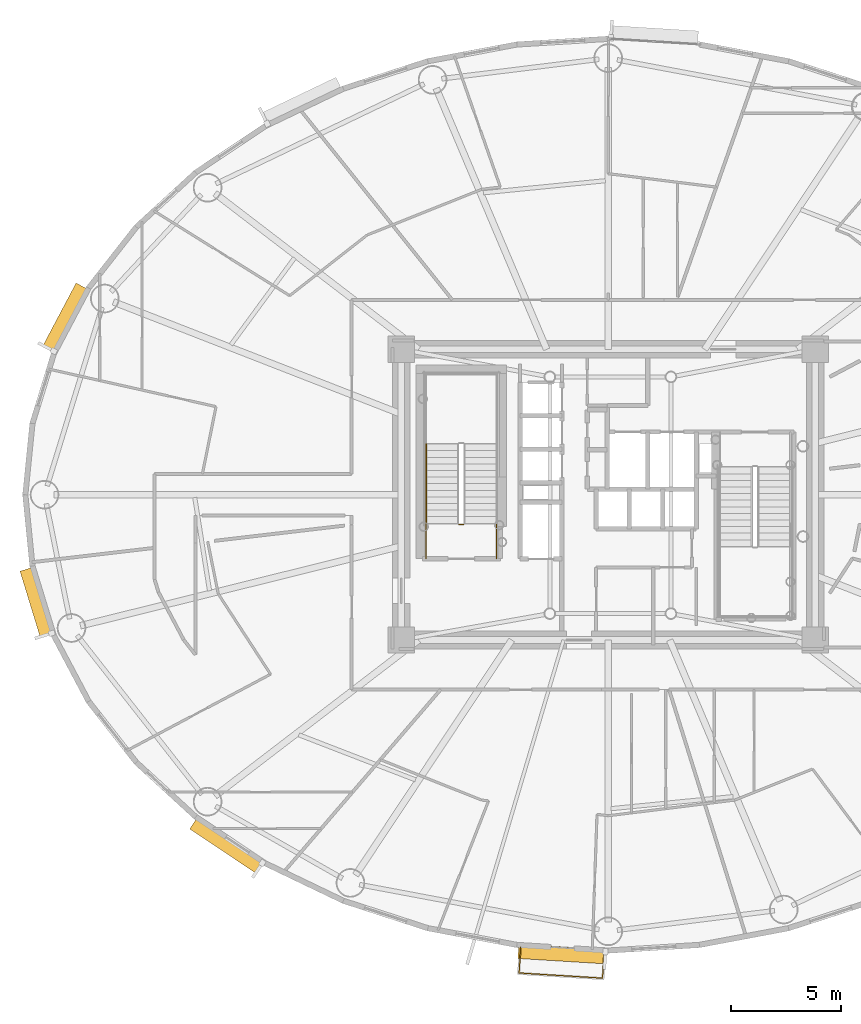
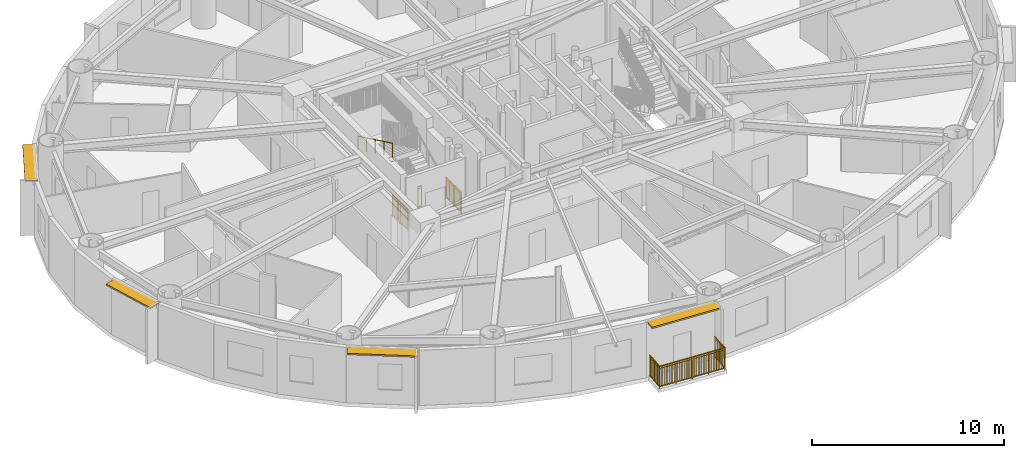
# One storey, part 12 of 18: 5 railings, 4 shading devices.
"""IFC4 building model written with IfcOpenShell, lengths in metres."""

from ifc_helpers import new_model, si_unit, direction, frame, origin, origin_2d, place, context, subcontext, project, spatial, rectangle, extrude, source, transform, mapped, material, layer, layer_set, type_object, element, save


model = new_model("IFC4")

# Units and contexts
model_context = context("Model", 3, precision=1e-05, world=origin(), true_north=direction((0.0, 1.0)))
body_context = subcontext(model_context, "Body", "Model", "MODEL_VIEW")
ifc_project = project(units=[si_unit("LENGTHUNIT", "METRE"), si_unit("AREAUNIT", "SQUARE_METRE"), si_unit("VOLUMEUNIT", "CUBIC_METRE"), si_unit("PLANEANGLEUNIT", "RADIAN"), si_unit("MASSUNIT", "GRAM", prefix="KILO")], contexts=[model_context])

# Site, building, storey
site_placement = place(None, origin())
site = spatial("IfcSite", under=ifc_project, at=site_placement, CompositionType="ELEMENT")
building_placement = place(site_placement, origin())
building = spatial("IfcBuilding", under=site, at=building_placement, Name="Linh Dai School and Residence Tower", CompositionType="ELEMENT")
storey_placement = place(building_placement, frame((0.0, 0.0, 178.64990234375)))
storey = spatial("IfcBuildingStorey", under=building, at=storey_placement, Name="L43", CompositionType="ELEMENT", Elevation=178.64990234375)

# Shading devices
ifc_material_1 = material(Name="Terracotta Ceramic Sunshade", Category="masonry")
ifc_layer = layer(ifc_material_1, 0.10009765625)
ifc_layer_set = layer_set([ifc_layer], Name="Terracotta Ceramic Sunshade")
shading_device_type = type_object("IfcShadingDeviceType", Name="SHD-TC-650", PredefinedType="USERDEFINED", material=ifc_layer_set)
shared_shape_1 = source(origin(), body_context, "Body", "SweptSolid", [
    extrude(rectangle(XDim=3.168212890625, YDim=0.64990234375, at=origin_2d()), origin(), (0.0, 0.0, 1.0), 0.10009765625),
])
shading_device_1_placement = place(storey_placement, frame((10.061279296875, 22.105224609375, 3.380126953125), z_axis=(0.0, 0.0, 1.0), x_axis=(-0.293121969301, 0.956075055167, 0.0)))
element("IfcShadingDevice", 1, at=shading_device_1_placement, inside=storey, type_object=shading_device_type, Name="L43 Terracotta Horizontal Sunshade Band 22", ObjectType="SUNSHADE", PredefinedType="USERDEFINED", context=body_context, shape_type="MappedRepresentation", body=[
    mapped(shared_shape_1, transform((0.0, 0.0, 0.0), x_axis=(1.0, 0.0, 0.0), y_axis=(0.0, 1.0, 0.0), z_axis=(0.0, 0.0, 1.0), scale=1.0)),
])
shared_shape_2 = source(origin(), body_context, "Body", "SweptSolid", [
    extrude(rectangle(XDim=3.64794921875, YDim=0.64990234375, at=origin_2d()), origin(), (0.0, 0.0, 1.0), 0.10009765625),
])
shading_device_2_placement = place(storey_placement, frame((18.68896484375, 11.076171875, 3.380126953125), z_axis=(0.0, 0.0, 1.0), x_axis=(-0.831228338651, 0.555931154932, 0.0)))
element("IfcShadingDevice", 2, at=shading_device_2_placement, inside=storey, type_object=shading_device_type, Name="L43 Terracotta Horizontal Sunshade Band 26", ObjectType="SUNSHADE", PredefinedType="USERDEFINED", context=body_context, shape_type="MappedRepresentation", body=[
    mapped(shared_shape_2, transform((0.0, 0.0, 0.0), x_axis=(1.0, 0.0, 0.0), y_axis=(0.0, 1.0, 0.0), z_axis=(0.0, 0.0, 1.0), scale=1.0)),
])
shared_shape_3 = source(origin(), body_context, "Body", "SweptSolid", [
    extrude(rectangle(XDim=3.987548828125, YDim=0.64990234375, at=origin_2d()), origin(), (0.0, 0.0, 1.0), 0.10009765625),
])
shading_device_3_placement = place(storey_placement, frame((33.90966796875, 6.13818359375, 3.380126953125), z_axis=(0.0, 0.0, 1.0), x_axis=(-0.99810632076, 0.061512376467, 0.0)))
element("IfcShadingDevice", 3, at=shading_device_3_placement, inside=storey, type_object=shading_device_type, Name="L43 Terracotta Horizontal Sunshade Band 30", ObjectType="SUNSHADE", PredefinedType="USERDEFINED", context=body_context, shape_type="MappedRepresentation", body=[
    mapped(shared_shape_3, transform((0.0, 0.0, 0.0), x_axis=(1.0, 0.0, 0.0), y_axis=(0.0, 1.0, 0.0), z_axis=(0.0, 0.0, 1.0), scale=1.0)),
])
shared_shape_4 = source(origin(), body_context, "Body", "SweptSolid", [
    extrude(rectangle(XDim=3.257568359375, YDim=0.64990234375, at=origin_2d()), origin(), (0.0, 0.0, 1.0), 0.10009765625),
])
shading_device_4_placement = place(storey_placement, frame((11.358642578125, 35.02197265625, 3.380126953125), z_axis=(0.0, 0.0, 1.0), x_axis=(0.467580060884, 0.883950726378, 0.0)))
element("IfcShadingDevice", 4, at=shading_device_4_placement, inside=storey, type_object=shading_device_type, Name="L43 Terracotta Horizontal Sunshade Band 18", ObjectType="SUNSHADE", PredefinedType="USERDEFINED", context=body_context, shape_type="MappedRepresentation", body=[
    mapped(shared_shape_4, transform((0.0, 0.0, 0.0), x_axis=(1.0, 0.0, 0.0), y_axis=(0.0, 1.0, 0.0), z_axis=(0.0, 0.0, 1.0), scale=1.0)),
])

# Railings
ifc_material_2 = material(Name="Structural Steel S355JR", Category="steel")
railing_type_1 = type_object("IfcRailingType", Name="RL-BAL-1400", PredefinedType="BALUSTRADE", material=ifc_material_2)
shared_shape_5 = source(origin(), body_context, "Body", "SweptSolid", [
    extrude(rectangle(XDim=0.048095703125, YDim=0.048095703125, at=origin_2d()), frame((0.0, 0.0, 1.3759765625), z_axis=(-0.061656929038, -0.99809740161, 0.0), x_axis=(0.99809740161, -0.061656929038, 0.0)), (0.0, 0.0, 1.0), 1.179931640625),
    extrude(rectangle(XDim=0.048095703125, YDim=0.048095703125, at=origin_2d()), frame((0.0, 0.0, 0.10009765625), z_axis=(-0.061656929038, -0.99809740161, 0.0), x_axis=(0.99809740161, -0.061656929038, 0.0)), (0.0, 0.0, 1.0), 1.179931640625),
    extrude(rectangle(XDim=0.030029296875, YDim=0.030029296875, at=origin_2d()), frame((0.0, 0.0, 1.239990234375), z_axis=(-0.061656929038, -0.99809740161, 0.0), x_axis=(0.99809740161, -0.061656929038, 0.0)), (0.0, 0.0, 1.0), 1.179931640625),
    extrude(rectangle(XDim=0.02001953125, YDim=0.02001953125, at=origin_2d()), frame((-0.005615234375, -0.090576171875, 0.10009765625)), (0.0, 0.0, 1.0), 1.251708984375),
    extrude(rectangle(XDim=0.02001953125, YDim=0.02001953125, at=origin_2d()), frame((-0.01123046875, -0.18115234375, 0.10009765625)), (0.0, 0.0, 1.0), 1.251708984375),
    extrude(rectangle(XDim=0.02001953125, YDim=0.02001953125, at=origin_2d()), frame((-0.016845703125, -0.271728515625, 0.10009765625)), (0.0, 0.0, 1.0), 1.251708984375),
    extrude(rectangle(XDim=0.02001953125, YDim=0.02001953125, at=origin_2d()), frame((-0.0224609375, -0.3623046875, 0.10009765625)), (0.0, 0.0, 1.0), 1.251708984375),
    extrude(rectangle(XDim=0.02001953125, YDim=0.02001953125, at=origin_2d()), frame((-0.028076171875, -0.452880859375, 0.10009765625)), (0.0, 0.0, 1.0), 1.251708984375),
    extrude(rectangle(XDim=0.02001953125, YDim=0.02001953125, at=origin_2d()), frame((-0.03369140625, -0.54345703125, 0.10009765625)), (0.0, 0.0, 1.0), 1.251708984375),
    extrude(rectangle(XDim=0.02001953125, YDim=0.02001953125, at=origin_2d()), frame((-0.0390625, -0.63427734375, 0.10009765625)), (0.0, 0.0, 1.0), 1.251708984375),
    extrude(rectangle(XDim=0.02001953125, YDim=0.02001953125, at=origin_2d()), frame((-0.044677734375, -0.724853515625, 0.10009765625)), (0.0, 0.0, 1.0), 1.251708984375),
    extrude(rectangle(XDim=0.02001953125, YDim=0.02001953125, at=origin_2d()), frame((-0.05029296875, -0.8154296875, 0.10009765625)), (0.0, 0.0, 1.0), 1.251708984375),
    extrude(rectangle(XDim=0.02001953125, YDim=0.02001953125, at=origin_2d()), frame((-0.055908203125, -0.906005859375, 0.10009765625)), (0.0, 0.0, 1.0), 1.251708984375),
    extrude(rectangle(XDim=0.02001953125, YDim=0.02001953125, at=origin_2d()), frame((-0.0615234375, -0.99658203125, 0.10009765625)), (0.0, 0.0, 1.0), 1.251708984375),
    extrude(rectangle(XDim=0.02001953125, YDim=0.02001953125, at=origin_2d()), frame((-0.067138671875, -1.087158203125, 0.10009765625)), (0.0, 0.0, 1.0), 1.251708984375),
    extrude(rectangle(XDim=0.048095703125, YDim=0.048095703125, at=origin_2d()), frame((-0.07275390625, -1.177734375, 1.3759765625), z_axis=(-0.998105551914, 0.061524850579, 0.0), x_axis=(-0.061524850579, -0.998105551914, 0.0)), (0.0, 0.0, 1.0), 3.79345703125),
    extrude(rectangle(XDim=0.048095703125, YDim=0.048095703125, at=origin_2d()), frame((-0.07275390625, -1.177734375, 0.10009765625), z_axis=(-0.998105551914, 0.061524850579, 0.0), x_axis=(-0.061524850579, -0.998105551914, 0.0)), (0.0, 0.0, 1.0), 3.79345703125),
    extrude(rectangle(XDim=0.030029296875, YDim=0.030029296875, at=origin_2d()), frame((-0.07275390625, -1.177734375, 1.239990234375), z_axis=(-0.998105551914, 0.061524850579, 0.0), x_axis=(-0.061524850579, -0.998105551914, 0.0)), (0.0, 0.0, 1.0), 3.79345703125),
    extrude(rectangle(XDim=0.02001953125, YDim=0.02001953125, at=origin_2d()), frame((-0.169921875, -1.171630859375, 0.10009765625)), (0.0, 0.0, 1.0), 1.251708984375),
    extrude(rectangle(XDim=0.02001953125, YDim=0.02001953125, at=origin_2d()), frame((-0.266845703125, -1.165771484375, 0.10009765625)), (0.0, 0.0, 1.0), 1.251708984375),
    extrude(rectangle(XDim=0.02001953125, YDim=0.02001953125, at=origin_2d()), frame((-0.364013671875, -1.15966796875, 0.10009765625)), (0.0, 0.0, 1.0), 1.251708984375),
    extrude(rectangle(XDim=0.02001953125, YDim=0.02001953125, at=origin_2d()), frame((-0.461181640625, -1.15380859375, 0.10009765625)), (0.0, 0.0, 1.0), 1.251708984375),
    extrude(rectangle(XDim=0.02001953125, YDim=0.02001953125, at=origin_2d()), frame((-0.55810546875, -1.147705078125, 0.10009765625)), (0.0, 0.0, 1.0), 1.251708984375),
    extrude(rectangle(XDim=0.02001953125, YDim=0.02001953125, at=origin_2d()), frame((-0.6552734375, -1.141845703125, 0.10009765625)), (0.0, 0.0, 1.0), 1.251708984375),
    extrude(rectangle(XDim=0.02001953125, YDim=0.02001953125, at=origin_2d()), frame((-0.75244140625, -1.1357421875, 0.10009765625)), (0.0, 0.0, 1.0), 1.251708984375),
    extrude(rectangle(XDim=0.02001953125, YDim=0.02001953125, at=origin_2d()), frame((-0.849365234375, -1.1298828125, 0.10009765625)), (0.0, 0.0, 1.0), 1.251708984375),
    extrude(rectangle(XDim=0.02001953125, YDim=0.02001953125, at=origin_2d()), frame((-0.946533203125, -1.123779296875, 0.10009765625)), (0.0, 0.0, 1.0), 1.251708984375),
    extrude(rectangle(XDim=0.02001953125, YDim=0.02001953125, at=origin_2d()), frame((-1.140625, -1.11181640625, 0.10009765625)), (0.0, 0.0, 1.0), 1.251708984375),
    extrude(rectangle(XDim=0.02001953125, YDim=0.02001953125, at=origin_2d()), frame((-1.23779296875, -1.10595703125, 0.10009765625)), (0.0, 0.0, 1.0), 1.251708984375),
    extrude(rectangle(XDim=0.02001953125, YDim=0.02001953125, at=origin_2d()), frame((-1.3349609375, -1.099853515625, 0.10009765625)), (0.0, 0.0, 1.0), 1.251708984375),
    extrude(rectangle(XDim=0.02001953125, YDim=0.02001953125, at=origin_2d()), frame((-1.431884765625, -1.093994140625, 0.10009765625)), (0.0, 0.0, 1.0), 1.251708984375),
    extrude(rectangle(XDim=0.02001953125, YDim=0.02001953125, at=origin_2d()), frame((-1.529052734375, -1.087890625, 0.10009765625)), (0.0, 0.0, 1.0), 1.251708984375),
    extrude(rectangle(XDim=0.02001953125, YDim=0.02001953125, at=origin_2d()), frame((-1.626220703125, -1.08203125, 0.10009765625)), (0.0, 0.0, 1.0), 1.251708984375),
    extrude(rectangle(XDim=0.02001953125, YDim=0.02001953125, at=origin_2d()), frame((-1.72314453125, -1.075927734375, 0.10009765625)), (0.0, 0.0, 1.0), 1.251708984375),
    extrude(rectangle(XDim=0.02001953125, YDim=0.02001953125, at=origin_2d()), frame((-1.8203125, -1.070068359375, 0.10009765625)), (0.0, 0.0, 1.0), 1.251708984375),
    extrude(rectangle(XDim=0.02001953125, YDim=0.02001953125, at=origin_2d()), frame((-1.91748046875, -1.06396484375, 0.10009765625)), (0.0, 0.0, 1.0), 1.251708984375),
    extrude(rectangle(XDim=0.02001953125, YDim=0.02001953125, at=origin_2d()), frame((-2.014404296875, -1.05810546875, 0.10009765625)), (0.0, 0.0, 1.0), 1.251708984375),
    extrude(rectangle(XDim=0.02001953125, YDim=0.02001953125, at=origin_2d()), frame((-2.111572265625, -1.052001953125, 0.10009765625)), (0.0, 0.0, 1.0), 1.251708984375),
    extrude(rectangle(XDim=0.02001953125, YDim=0.02001953125, at=origin_2d()), frame((-2.208740234375, -1.046142578125, 0.10009765625)), (0.0, 0.0, 1.0), 1.251708984375),
    extrude(rectangle(XDim=0.02001953125, YDim=0.02001953125, at=origin_2d()), frame((-2.3056640625, -1.0400390625, 0.10009765625)), (0.0, 0.0, 1.0), 1.251708984375),
    extrude(rectangle(XDim=0.02001953125, YDim=0.02001953125, at=origin_2d()), frame((-2.40283203125, -1.0341796875, 0.10009765625)), (0.0, 0.0, 1.0), 1.251708984375),
    extrude(rectangle(XDim=0.02001953125, YDim=0.02001953125, at=origin_2d()), frame((-2.5, -1.028076171875, 0.10009765625)), (0.0, 0.0, 1.0), 1.251708984375),
    extrude(rectangle(XDim=0.02001953125, YDim=0.02001953125, at=origin_2d()), frame((-2.596923828125, -1.022216796875, 0.10009765625)), (0.0, 0.0, 1.0), 1.251708984375),
    extrude(rectangle(XDim=0.02001953125, YDim=0.02001953125, at=origin_2d()), frame((-2.694091796875, -1.01611328125, 0.10009765625)), (0.0, 0.0, 1.0), 1.251708984375),
    extrude(rectangle(XDim=0.02001953125, YDim=0.02001953125, at=origin_2d()), frame((-2.791259765625, -1.01025390625, 0.10009765625)), (0.0, 0.0, 1.0), 1.251708984375),
    extrude(rectangle(XDim=0.02001953125, YDim=0.02001953125, at=origin_2d()), frame((-2.9853515625, -0.998291015625, 0.10009765625)), (0.0, 0.0, 1.0), 1.251708984375),
    extrude(rectangle(XDim=0.02001953125, YDim=0.02001953125, at=origin_2d()), frame((-3.08251953125, -0.9921875, 0.10009765625)), (0.0, 0.0, 1.0), 1.251708984375),
    extrude(rectangle(XDim=0.02001953125, YDim=0.02001953125, at=origin_2d()), frame((-3.179443359375, -0.986328125, 0.10009765625)), (0.0, 0.0, 1.0), 1.251708984375),
    extrude(rectangle(XDim=0.02001953125, YDim=0.02001953125, at=origin_2d()), frame((-3.276611328125, -0.980224609375, 0.10009765625)), (0.0, 0.0, 1.0), 1.251708984375),
    extrude(rectangle(XDim=0.02001953125, YDim=0.02001953125, at=origin_2d()), frame((-3.373779296875, -0.974365234375, 0.10009765625)), (0.0, 0.0, 1.0), 1.251708984375),
    extrude(rectangle(XDim=0.02001953125, YDim=0.02001953125, at=origin_2d()), frame((-3.470703125, -0.96826171875, 0.10009765625)), (0.0, 0.0, 1.0), 1.251708984375),
    extrude(rectangle(XDim=0.02001953125, YDim=0.02001953125, at=origin_2d()), frame((-3.56787109375, -0.96240234375, 0.10009765625)), (0.0, 0.0, 1.0), 1.251708984375),
    extrude(rectangle(XDim=0.02001953125, YDim=0.02001953125, at=origin_2d()), frame((-3.6650390625, -0.956298828125, 0.10009765625)), (0.0, 0.0, 1.0), 1.251708984375),
    extrude(rectangle(XDim=0.02001953125, YDim=0.02001953125, at=origin_2d()), frame((-3.761962890625, -0.950439453125, 0.10009765625)), (0.0, 0.0, 1.0), 1.251708984375),
    extrude(rectangle(XDim=0.048095703125, YDim=0.048095703125, at=origin_2d()), frame((-3.859130859375, -0.9443359375, 1.3759765625), z_axis=(0.061450809207, 0.998110113188, 0.0), x_axis=(-0.998110113188, 0.061450809207, 0.0)), (0.0, 0.0, 1.0), 1.179931640625),
    extrude(rectangle(XDim=0.048095703125, YDim=0.048095703125, at=origin_2d()), frame((-3.859130859375, -0.9443359375, 0.10009765625), z_axis=(0.061450809207, 0.998110113188, 0.0), x_axis=(-0.998110113188, 0.061450809207, 0.0)), (0.0, 0.0, 1.0), 1.179931640625),
    extrude(rectangle(XDim=0.030029296875, YDim=0.030029296875, at=origin_2d()), frame((-3.859130859375, -0.9443359375, 1.239990234375), z_axis=(0.061450809207, 0.998110113188, 0.0), x_axis=(-0.998110113188, 0.061450809207, 0.0)), (0.0, 0.0, 1.0), 1.179931640625),
    extrude(rectangle(XDim=0.02001953125, YDim=0.02001953125, at=origin_2d()), frame((-3.853515625, -0.853759765625, 0.10009765625)), (0.0, 0.0, 1.0), 1.251708984375),
    extrude(rectangle(XDim=0.02001953125, YDim=0.02001953125, at=origin_2d()), frame((-3.847900390625, -0.76318359375, 0.10009765625)), (0.0, 0.0, 1.0), 1.251708984375),
    extrude(rectangle(XDim=0.02001953125, YDim=0.02001953125, at=origin_2d()), frame((-3.84228515625, -0.672607421875, 0.10009765625)), (0.0, 0.0, 1.0), 1.251708984375),
    extrude(rectangle(XDim=0.02001953125, YDim=0.02001953125, at=origin_2d()), frame((-3.8369140625, -0.58203125, 0.10009765625)), (0.0, 0.0, 1.0), 1.251708984375),
    extrude(rectangle(XDim=0.02001953125, YDim=0.02001953125, at=origin_2d()), frame((-3.831298828125, -0.491455078125, 0.10009765625)), (0.0, 0.0, 1.0), 1.251708984375),
    extrude(rectangle(XDim=0.02001953125, YDim=0.02001953125, at=origin_2d()), frame((-3.82568359375, -0.40087890625, 0.10009765625)), (0.0, 0.0, 1.0), 1.251708984375),
    extrude(rectangle(XDim=0.02001953125, YDim=0.02001953125, at=origin_2d()), frame((-3.820068359375, -0.31005859375, 0.10009765625)), (0.0, 0.0, 1.0), 1.251708984375),
    extrude(rectangle(XDim=0.02001953125, YDim=0.02001953125, at=origin_2d()), frame((-3.814453125, -0.219482421875, 0.10009765625)), (0.0, 0.0, 1.0), 1.251708984375),
    extrude(rectangle(XDim=0.02001953125, YDim=0.02001953125, at=origin_2d()), frame((-3.808837890625, -0.12890625, 0.10009765625)), (0.0, 0.0, 1.0), 1.251708984375),
    extrude(rectangle(XDim=0.02001953125, YDim=0.02001953125, at=origin_2d()), frame((-3.803466796875, -0.038330078125, 0.10009765625)), (0.0, 0.0, 1.0), 1.251708984375),
    extrude(rectangle(XDim=0.02001953125, YDim=0.02001953125, at=origin_2d()), frame((-3.7978515625, 0.05224609375, 0.10009765625)), (0.0, 0.0, 1.0), 1.251708984375),
    extrude(rectangle(XDim=0.02001953125, YDim=0.02001953125, at=origin_2d()), frame((-3.792236328125, 0.142822265625, 0.10009765625)), (0.0, 0.0, 1.0), 1.251708984375),
    extrude(rectangle(XDim=0.0419921875, YDim=0.0419921875, at=origin_2d()), origin(), (0.0, 0.0, 1.0), 1.3759765625),
    extrude(rectangle(XDim=0.0419921875, YDim=0.0419921875, at=origin_2d()), frame((-0.07275390625, -1.177734375, 0.0)), (0.0, 0.0, 1.0), 1.3759765625),
    extrude(rectangle(XDim=0.0419921875, YDim=0.0419921875, at=origin_2d()), frame((-1.019287109375, -1.119384765625, 0.0)), (0.0, 0.0, 1.0), 1.3759765625),
    extrude(rectangle(XDim=0.0419921875, YDim=0.0419921875, at=origin_2d()), frame((-1.9658203125, -1.06103515625, 0.0)), (0.0, 0.0, 1.0), 1.3759765625),
    extrude(rectangle(XDim=0.0419921875, YDim=0.0419921875, at=origin_2d()), frame((-2.91259765625, -1.002685546875, 0.0)), (0.0, 0.0, 1.0), 1.3759765625),
    extrude(rectangle(XDim=0.0419921875, YDim=0.0419921875, at=origin_2d()), frame((-3.859130859375, -0.9443359375, 0.0)), (0.0, 0.0, 1.0), 1.3759765625),
    extrude(rectangle(XDim=0.0419921875, YDim=0.0419921875, at=origin_2d()), frame((-3.78662109375, 0.2333984375, 0.0)), (0.0, 0.0, 1.0), 1.3759765625),
])
railing_1_placement = place(storey_placement, frame((35.815185546875, 6.22119140625, 0.0)))
element("IfcRailing", 5, at=railing_1_placement, inside=storey, type_object=railing_type_1, Name="L43 Balcony Safety Balustrade 30", PredefinedType="BALUSTRADE", context=body_context, shape_type="MappedRepresentation", body=[
    mapped(shared_shape_5, transform((0.0, 0.0, 0.0), x_axis=(1.0, 0.0, 0.0), y_axis=(0.0, 1.0, 0.0), z_axis=(0.0, 0.0, 1.0), scale=1.0)),
])
railing_type_2 = type_object("IfcRailingType", Name="RL-ST-GUARD-1400", PredefinedType="GUARDRAIL", material=ifc_material_2)
shared_shape_6 = source(origin(), body_context, "Body", "SweptSolid", [
    extrude(rectangle(XDim=0.048095703125, YDim=0.048095703125, at=origin_2d()), frame((0.0, 0.0, 1.3759765625), z_axis=(-1.0, 0.0, 0.0), x_axis=(0.0, -1.0, 0.0)), (0.0, 0.0, 1.0), 0.199951171875),
    extrude(rectangle(XDim=0.048095703125, YDim=0.048095703125, at=origin_2d()), frame((0.0, 0.0, 0.10009765625), z_axis=(-1.0, 0.0, 0.0), x_axis=(0.0, -1.0, 0.0)), (0.0, 0.0, 1.0), 0.199951171875),
    extrude(rectangle(XDim=0.030029296875, YDim=0.030029296875, at=origin_2d()), frame((0.0, 0.0, 1.239990234375), z_axis=(-1.0, 0.0, 0.0), x_axis=(0.0, -1.0, 0.0)), (0.0, 0.0, 1.0), 0.199951171875),
    extrude(rectangle(XDim=0.0419921875, YDim=0.0419921875, at=origin_2d()), origin(), (0.0, 0.0, 1.0), 1.3759765625),
    extrude(rectangle(XDim=0.0419921875, YDim=0.0419921875, at=origin_2d()), frame((-0.199951171875, 0.0, 0.0)), (0.0, 0.0, 1.0), 1.3759765625),
])
railing_2_placement = place(storey_placement, frame((29.429931640625, 25.64990234375, 0.0)))
element("IfcRailing", 6, at=railing_2_placement, inside=storey, type_object=railing_type_2, Name="L43 ST1 stair guard 7", PredefinedType="GUARDRAIL", context=body_context, shape_type="MappedRepresentation", body=[
    mapped(shared_shape_6, transform((0.0, 0.0, 0.0), x_axis=(1.0, 0.0, 0.0), y_axis=(0.0, 1.0, 0.0), z_axis=(0.0, 0.0, 1.0), scale=1.0)),
])
shared_shape_7 = source(origin(), body_context, "Body", "SweptSolid", [
    extrude(rectangle(XDim=0.048095703125, YDim=0.048095703125, at=origin_2d()), frame((0.0, 0.0, 1.3759765625), z_axis=(0.0, 1.0, 0.0), x_axis=(-1.0, 0.0, 0.0)), (0.0, 0.0, 1.0), 1.599853515625),
    extrude(rectangle(XDim=0.048095703125, YDim=0.048095703125, at=origin_2d()), frame((0.0, 0.0, 0.10009765625), z_axis=(0.0, 1.0, 0.0), x_axis=(-1.0, 0.0, 0.0)), (0.0, 0.0, 1.0), 1.599853515625),
    extrude(rectangle(XDim=0.030029296875, YDim=0.030029296875, at=origin_2d()), frame((0.0, 0.0, 1.239990234375), z_axis=(0.0, 1.0, 0.0), x_axis=(-1.0, 0.0, 0.0)), (0.0, 0.0, 1.0), 1.599853515625),
    extrude(rectangle(XDim=0.02001953125, YDim=0.02001953125, at=origin_2d()), frame((0.0, 0.093994140625, 0.10009765625)), (0.0, 0.0, 1.0), 1.251708984375),
    extrude(rectangle(XDim=0.02001953125, YDim=0.02001953125, at=origin_2d()), frame((0.0, 0.188232421875, 0.10009765625)), (0.0, 0.0, 1.0), 1.251708984375),
    extrude(rectangle(XDim=0.02001953125, YDim=0.02001953125, at=origin_2d()), frame((0.0, 0.2822265625, 0.10009765625)), (0.0, 0.0, 1.0), 1.251708984375),
    extrude(rectangle(XDim=0.02001953125, YDim=0.02001953125, at=origin_2d()), frame((0.0, 0.37646484375, 0.10009765625)), (0.0, 0.0, 1.0), 1.251708984375),
    extrude(rectangle(XDim=0.02001953125, YDim=0.02001953125, at=origin_2d()), frame((0.0, 0.470458984375, 0.10009765625)), (0.0, 0.0, 1.0), 1.251708984375),
    extrude(rectangle(XDim=0.02001953125, YDim=0.02001953125, at=origin_2d()), frame((0.0, 0.564697265625, 0.10009765625)), (0.0, 0.0, 1.0), 1.251708984375),
    extrude(rectangle(XDim=0.02001953125, YDim=0.02001953125, at=origin_2d()), frame((0.0, 0.65869140625, 0.10009765625)), (0.0, 0.0, 1.0), 1.251708984375),
    extrude(rectangle(XDim=0.02001953125, YDim=0.02001953125, at=origin_2d()), frame((0.0, 0.7529296875, 0.10009765625)), (0.0, 0.0, 1.0), 1.251708984375),
    extrude(rectangle(XDim=0.02001953125, YDim=0.02001953125, at=origin_2d()), frame((0.0, 0.846923828125, 0.10009765625)), (0.0, 0.0, 1.0), 1.251708984375),
    extrude(rectangle(XDim=0.02001953125, YDim=0.02001953125, at=origin_2d()), frame((0.0, 0.941162109375, 0.10009765625)), (0.0, 0.0, 1.0), 1.251708984375),
    extrude(rectangle(XDim=0.02001953125, YDim=0.02001953125, at=origin_2d()), frame((0.0, 1.03515625, 0.10009765625)), (0.0, 0.0, 1.0), 1.251708984375),
    extrude(rectangle(XDim=0.02001953125, YDim=0.02001953125, at=origin_2d()), frame((0.0, 1.12939453125, 0.10009765625)), (0.0, 0.0, 1.0), 1.251708984375),
    extrude(rectangle(XDim=0.02001953125, YDim=0.02001953125, at=origin_2d()), frame((0.0, 1.223388671875, 0.10009765625)), (0.0, 0.0, 1.0), 1.251708984375),
    extrude(rectangle(XDim=0.02001953125, YDim=0.02001953125, at=origin_2d()), frame((0.0, 1.317626953125, 0.10009765625)), (0.0, 0.0, 1.0), 1.251708984375),
    extrude(rectangle(XDim=0.02001953125, YDim=0.02001953125, at=origin_2d()), frame((0.0, 1.41162109375, 0.10009765625)), (0.0, 0.0, 1.0), 1.251708984375),
    extrude(rectangle(XDim=0.02001953125, YDim=0.02001953125, at=origin_2d()), frame((0.0, 1.505859375, 0.10009765625)), (0.0, 0.0, 1.0), 1.251708984375),
    extrude(rectangle(XDim=0.0419921875, YDim=0.0419921875, at=origin_2d()), origin(), (0.0, 0.0, 1.0), 1.3759765625),
    extrude(rectangle(XDim=0.0419921875, YDim=0.0419921875, at=origin_2d()), frame((0.0, 0.7998046875, 0.0)), (0.0, 0.0, 1.0), 1.3759765625),
    extrude(rectangle(XDim=0.0419921875, YDim=0.0419921875, at=origin_2d()), frame((0.0, 1.599853515625, 0.0)), (0.0, 0.0, 1.0), 1.3759765625),
])
for number, where, name in (
    (7, (30.929931640625, 24.10009765625, 0.0), "L43 ST1 stair guard 8"),
    (8, (27.72998046875, 24.10009765625, 0.0), "L43 ST1 stair guard 9"),
):
    element("IfcRailing", number, at=place(storey_placement, frame(where)), inside=storey, type_object=railing_type_2, Name=name, PredefinedType="GUARDRAIL", context=body_context, shape_type="MappedRepresentation", body=[
        mapped(shared_shape_7, transform((0.0, 0.0, 0.0), x_axis=(1.0, 0.0, 0.0), y_axis=(0.0, 1.0, 0.0), z_axis=(0.0, 0.0, 1.0), scale=1.0)),
    ])
ifc_material_3 = material(Name="Brushed Stainless Steel Handrail", Category="steel")
railing_type_3 = type_object("IfcRailingType", Name="RL-ST-HANDRAIL-900", PredefinedType="HANDRAIL", material=ifc_material_3)
shared_shape_8 = source(origin(), body_context, "Body", "SweptSolid", [
    extrude(rectangle(XDim=0.048095703125, YDim=0.048095703125, at=origin_2d()), frame((0.0, 0.0, 0.8759765625), z_axis=(0.0, -0.901262522062, 0.433273431364), x_axis=(1.0, 0.0, 0.0)), (0.0, 0.0, 1.0), 3.994384765625),
    extrude(rectangle(XDim=0.0419921875, YDim=0.0419921875, at=origin_2d()), origin(), (0.0, 0.0, 1.0), 0.8759765625),
    extrude(rectangle(XDim=0.0419921875, YDim=0.0419921875, at=origin_2d()), frame((0.0, -0.89990234375, 0.4326171875)), (0.0, 0.0, 1.0), 0.8759765625),
    extrude(rectangle(XDim=0.0419921875, YDim=0.0419921875, at=origin_2d()), frame((0.0, -1.800048828125, 0.865234375)), (0.0, 0.0, 1.0), 0.8759765625),
    extrude(rectangle(XDim=0.0419921875, YDim=0.0419921875, at=origin_2d()), frame((0.0, -2.7001953125, 1.298095703125)), (0.0, 0.0, 1.0), 0.8759765625),
    extrude(rectangle(XDim=0.0419921875, YDim=0.0419921875, at=origin_2d()), frame((0.0, -3.60009765625, 1.730712890625)), (0.0, 0.0, 1.0), 0.8759765625),
])
railing_3_placement = place(storey_placement, frame((27.72998046875, 29.300048828125, 2.019287109375)))
element("IfcRailing", 9, at=railing_3_placement, inside=storey, type_object=railing_type_3, Name="L43 ST1 stair handrail 2", PredefinedType="HANDRAIL", context=body_context, shape_type="MappedRepresentation", body=[
    mapped(shared_shape_8, transform((0.0, 0.0, 0.0), x_axis=(1.0, 0.0, 0.0), y_axis=(0.0, 1.0, 0.0), z_axis=(0.0, 0.0, 1.0), scale=1.0)),
])

save(model, "model.ifc")
